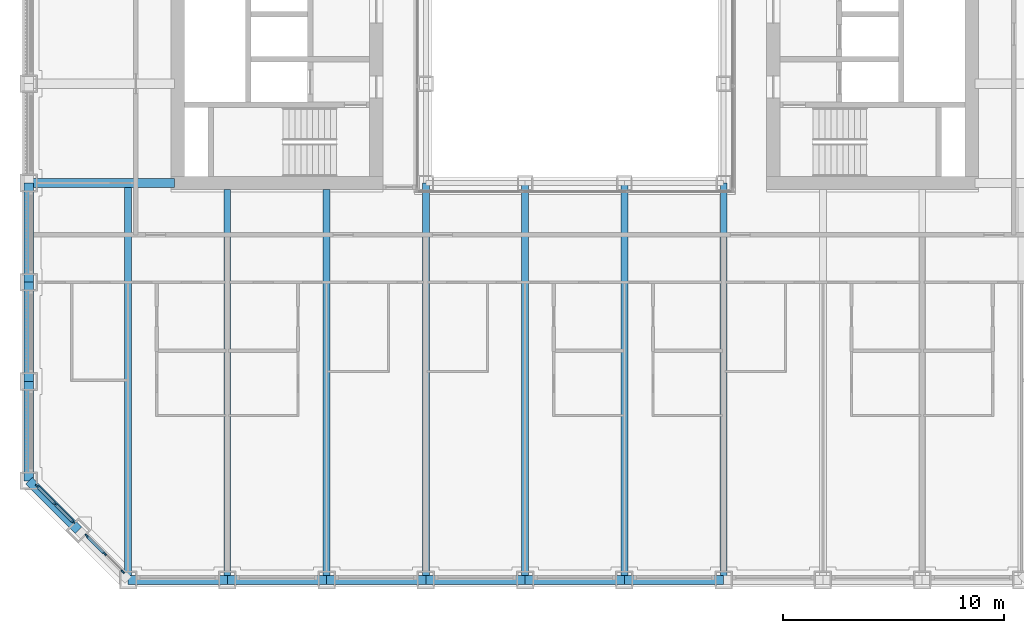
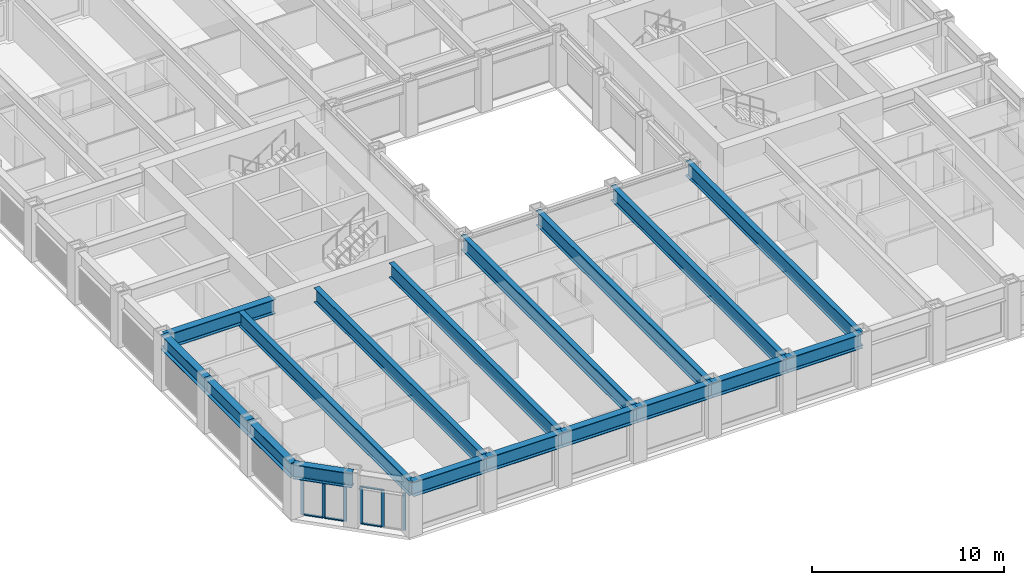
# One storey, part 2 of 21: 18 beams, 12 members, 2 elements without a shape of their own.
"""IFC4 building model written with IfcOpenShell, lengths in metres."""

from ifc_helpers import new_model, si_unit, direction, frame, origin, origin_2d, place, context, subcontext, project, spatial, rectangle, i_section, extrude, material, material_profile, profile_set, type_object, element, aggregate, save


model = new_model("IFC4")

# Units and contexts
model_context = context("Model", 3, precision=1e-05, world=origin(), true_north=direction((0.0, 1.0)))
body_context = subcontext(model_context, "Body", "Model", "MODEL_VIEW")
ifc_project = project(units=[si_unit("LENGTHUNIT", "METRE"), si_unit("AREAUNIT", "SQUARE_METRE"), si_unit("VOLUMEUNIT", "CUBIC_METRE"), si_unit("PLANEANGLEUNIT", "RADIAN"), si_unit("MASSUNIT", "GRAM", prefix="KILO")], contexts=[model_context])

# Site, building, storey
site_placement = place(None, origin())
site = spatial("IfcSite", under=ifc_project, at=site_placement, CompositionType="ELEMENT")
building_placement = place(site_placement, origin())
building = spatial("IfcBuilding", under=site, at=building_placement, Name="Msasa Ring Tower", CompositionType="ELEMENT")
storey_placement = place(building_placement, frame((0.0, 0.0, 47.5)))
storey = spatial("IfcBuildingStorey", under=building, at=storey_placement, Name="L11", CompositionType="ELEMENT", Elevation=47.5)

# Curtain wall, members
ifc_material_1 = material(Name="Aluminium curtain wall with clear glass", Category="aluminium")
curtain_wall_type = type_object("IfcCurtainWallType", Name="CW-C CHAMFER CORNER CURTAIN WALL", PredefinedType="NOTDEFINED", material=ifc_material_1)
curtain_wall_1_placement = place(storey_placement, origin())
curtain_wall_1 = element("IfcCurtainWall", 1, at=curtain_wall_1_placement, inside=storey, type_object=curtain_wall_type, Name="Chamfer corner curtain wall SW L11", PredefinedType="NOTDEFINED")
ifc_material_2 = material(Name="Aluminium mullion", Category="aluminium")
ifc_material_profile_1 = material_profile(ifc_material_2, rectangle(XDim=0.06494140625, YDim=0.179931640625, at=origin_2d()), Name="AL 65x180")
ifc_profile_set_1 = profile_set([ifc_material_profile_1], Name="Aluminium mullion")
member_type_1 = type_object("IfcMemberType", Name="CW-C MULLION 65x180", PredefinedType="MULLION", material=ifc_profile_set_1)
member_1_placement = place(storey_placement, frame((-24.369873046875, -20.48876953125, 0.0), z_axis=(0.0, 0.0, 1.0), x_axis=(0.707106781187, 0.707106781187, 0.0)))
member_1 = element("IfcMember", 2, at=member_1_placement, type_object=member_type_1, Name="CW-C mullion 1", PredefinedType="MULLION", context=body_context, shape_type="SweptSolid", body=[
    extrude(rectangle(XDim=0.06494140625, YDim=0.179931640625, at=origin_2d()), origin(), (0.0, 0.0, 1.0), 2.37890625),
])
member_2_placement = place(storey_placement, frame((-23.55419921875, -21.30419921875, 0.0), z_axis=(0.0, 0.0, 1.0), x_axis=(0.707106781187, 0.707106781187, 0.0)))
member_2 = element("IfcMember", 3, at=member_2_placement, type_object=member_type_1, Name="CW-C mullion 2", PredefinedType="MULLION", context=body_context, shape_type="SweptSolid", body=[
    extrude(rectangle(XDim=0.06494140625, YDim=0.179931640625, at=origin_2d()), origin(), (0.0, 0.0, 1.0), 2.37890625),
])
member_3_placement = place(storey_placement, frame((-22.73876953125, -22.119873046875, 0.0), z_axis=(0.0, 0.0, 1.0), x_axis=(0.707106781187, 0.707106781187, 0.0)))
member_3 = element("IfcMember", 4, at=member_3_placement, type_object=member_type_1, Name="CW-C mullion 3", PredefinedType="MULLION", context=body_context, shape_type="SweptSolid", body=[
    extrude(rectangle(XDim=0.06494140625, YDim=0.179931640625, at=origin_2d()), origin(), (0.0, 0.0, 1.0), 2.37890625),
])

curtain_wall_2_placement = place(storey_placement, origin())
curtain_wall_2 = element("IfcCurtainWall", 5, at=curtain_wall_2_placement, inside=storey, type_object=curtain_wall_type, Name="Chamfer corner curtain wall SW L11", PredefinedType="NOTDEFINED")
member_4_placement = place(storey_placement, frame((-22.119873046875, -22.73876953125, 0.0), z_axis=(0.0, 0.0, 1.0), x_axis=(0.707106781187, 0.707106781187, 0.0)))
member_4 = element("IfcMember", 6, at=member_4_placement, type_object=member_type_1, Name="CW-C mullion 1", PredefinedType="MULLION", context=body_context, shape_type="SweptSolid", body=[
    extrude(rectangle(XDim=0.06494140625, YDim=0.179931640625, at=origin_2d()), origin(), (0.0, 0.0, 1.0), 2.37890625),
])
member_5_placement = place(storey_placement, frame((-21.30419921875, -23.55419921875, 0.0), z_axis=(0.0, 0.0, 1.0), x_axis=(0.707106781187, 0.707106781187, 0.0)))
member_5 = element("IfcMember", 7, at=member_5_placement, type_object=member_type_1, Name="CW-C mullion 2", PredefinedType="MULLION", context=body_context, shape_type="SweptSolid", body=[
    extrude(rectangle(XDim=0.06494140625, YDim=0.179931640625, at=origin_2d()), origin(), (0.0, 0.0, 1.0), 2.37890625),
])
member_6_placement = place(storey_placement, frame((-20.48876953125, -24.369873046875, 0.0), z_axis=(0.0, 0.0, 1.0), x_axis=(0.707106781187, 0.707106781187, 0.0)))
member_6 = element("IfcMember", 8, at=member_6_placement, type_object=member_type_1, Name="CW-C mullion 3", PredefinedType="MULLION", context=body_context, shape_type="SweptSolid", body=[
    extrude(rectangle(XDim=0.06494140625, YDim=0.179931640625, at=origin_2d()), origin(), (0.0, 0.0, 1.0), 2.37890625),
])

# Member
ifc_material_3 = material(Name="Aluminium transom", Category="aluminium")
ifc_material_profile_2 = material_profile(ifc_material_3, rectangle(XDim=0.139892578125, YDim=0.06494140625, at=origin_2d()), Name="AL 65x140")
ifc_profile_set_2 = profile_set([ifc_material_profile_2], Name="Aluminium transom")
member_type_2 = type_object("IfcMemberType", Name="CW-C TRANSOM 65x140", PredefinedType="USERDEFINED", material=ifc_profile_set_2)
member_7_placement = place(storey_placement, frame((-24.346923828125, -20.51171875, 0.032470703125), z_axis=(0.707106781187, -0.707106781187, 0.0), x_axis=(0.707106781187, 0.707106781187, 0.0)))
member_7 = element("IfcMember", 9, at=member_7_placement, type_object=member_type_2, Name="CW-C transom 1.1", ObjectType="TRANSOM", PredefinedType="USERDEFINED", context=body_context, shape_type="SweptSolid", body=[
    extrude(rectangle(XDim=0.139892578125, YDim=0.06494140625, at=origin_2d()), origin(), (0.0, 0.0, 1.0), 1.08837890625),
])

member_8_placement = place(storey_placement, frame((-24.346923828125, -20.51171875, 2.346435546875), z_axis=(0.707106781187, -0.707106781187, 0.0), x_axis=(0.707106781187, 0.707106781187, 0.0)))
member_8 = element("IfcMember", 10, at=member_8_placement, type_object=member_type_2, Name="CW-C transom 1.2", ObjectType="TRANSOM", PredefinedType="USERDEFINED", context=body_context, shape_type="SweptSolid", body=[
    extrude(rectangle(XDim=0.139892578125, YDim=0.06494140625, at=origin_2d()), origin(), (0.0, 0.0, 1.0), 1.08837890625),
])

member_9_placement = place(storey_placement, frame((-23.53125, -21.327392578125, 0.032470703125), z_axis=(0.707106781187, -0.707106781187, 0.0), x_axis=(0.707106781187, 0.707106781187, 0.0)))
member_9 = element("IfcMember", 11, at=member_9_placement, type_object=member_type_2, Name="CW-C transom 2.1", ObjectType="TRANSOM", PredefinedType="USERDEFINED", context=body_context, shape_type="SweptSolid", body=[
    extrude(rectangle(XDim=0.139892578125, YDim=0.06494140625, at=origin_2d()), origin(), (0.0, 0.0, 1.0), 1.08837890625),
])

member_10_placement = place(storey_placement, frame((-23.53125, -21.327392578125, 2.346435546875), z_axis=(0.707106781187, -0.707106781187, 0.0), x_axis=(0.707106781187, 0.707106781187, 0.0)))
member_10 = element("IfcMember", 12, at=member_10_placement, type_object=member_type_2, Name="CW-C transom 2.2", ObjectType="TRANSOM", PredefinedType="USERDEFINED", context=body_context, shape_type="SweptSolid", body=[
    extrude(rectangle(XDim=0.139892578125, YDim=0.06494140625, at=origin_2d()), origin(), (0.0, 0.0, 1.0), 1.08837890625),
])

aggregate(curtain_wall_1, [member_1, member_2, member_3, member_7, member_8, member_9, member_10])

member_11_placement = place(storey_placement, frame((-22.096923828125, -22.76171875, 0.032470703125), z_axis=(0.707106781187, -0.707106781187, 0.0), x_axis=(0.707106781187, 0.707106781187, 0.0)))
member_11 = element("IfcMember", 13, at=member_11_placement, type_object=member_type_2, Name="CW-C transom 1.1", ObjectType="TRANSOM", PredefinedType="USERDEFINED", context=body_context, shape_type="SweptSolid", body=[
    extrude(rectangle(XDim=0.139892578125, YDim=0.06494140625, at=origin_2d()), origin(), (0.0, 0.0, 1.0), 1.08837890625),
])

member_12_placement = place(storey_placement, frame((-22.096923828125, -22.76171875, 2.346435546875), z_axis=(0.707106781187, -0.707106781187, 0.0), x_axis=(0.707106781187, 0.707106781187, 0.0)))
member_12 = element("IfcMember", 14, at=member_12_placement, type_object=member_type_2, Name="CW-C transom 1.2", ObjectType="TRANSOM", PredefinedType="USERDEFINED", context=body_context, shape_type="SweptSolid", body=[
    extrude(rectangle(XDim=0.139892578125, YDim=0.06494140625, at=origin_2d()), origin(), (0.0, 0.0, 1.0), 1.08837890625),
])

aggregate(curtain_wall_2, [member_4, member_5, member_6, member_11, member_12])

# Beams
ifc_material_4 = material(Name="Steel S355", Category="steel")
ifc_material_profile_3 = material_profile(ifc_material_4, i_section(OverallWidth=0.3076171875, OverallDepth=0.926513671875, WebThickness=0.01953125, FlangeThickness=0.031982421875, FilletRadius=0.01904296875, at=origin_2d()), Name="UB 914x305x289")
ifc_profile_set_3 = profile_set([ifc_material_profile_3], Name="Steel S355")
beam_type_1 = type_object("IfcBeamType", Name="FB3 UB 914x305x289", PredefinedType="BEAM", material=ifc_profile_set_3)
beam_1_placement = place(storey_placement, frame((-20.25, -24.75, 2.836669921875), z_axis=(0.0, 1.0, 0.0), x_axis=(-1.0, 0.0, 0.0)))
element("IfcBeam", 15, at=beam_1_placement, inside=storey, type_object=beam_type_1, Name="Floor beam S-20.25 under L12", PredefinedType="BEAM", context=body_context, shape_type="SweptSolid", body=[
    extrude(i_section(OverallWidth=0.3076171875, OverallDepth=0.926513671875, WebThickness=0.01953125, FlangeThickness=0.031982421875, FilletRadius=0.01904296875, at=origin_2d()), origin(), (0.0, 0.0, 1.0), 17.789794921875),
])
for number, where, z_axis, x_axis, name in (
    (16, (-15.75, -24.75, 2.836669921875), (0.0, 1.0, 0.0), (-1.0, 0.0, 0.0), "Floor beam S-15.75 under L12"),
    (17, (-11.25, -24.75, 2.836669921875), (0.0, 1.0, 0.0), (-1.0, 0.0, 0.0), "Floor beam S-11.25 under L12"),
):
    element("IfcBeam", number, at=place(storey_placement, frame(where, z_axis=z_axis, x_axis=x_axis)), inside=storey, type_object=beam_type_1, Name=name, PredefinedType="BEAM", context=body_context, shape_type="SweptSolid", body=[
        extrude(i_section(OverallWidth=0.3076171875, OverallDepth=0.926513671875, WebThickness=0.01953125, FlangeThickness=0.031982421875, FilletRadius=0.01904296875, at=origin_2d()), origin(), (0.0, 0.0, 1.0), 17.699951171875),
    ])
for number, where, z_axis, x_axis, name in (
    (18, (-6.75, -24.75, 2.836669921875), (0.0, 1.0, 0.0), (-1.0, 0.0, 0.0), "Floor beam S-6.75 under L12"),
    (19, (-2.25, -24.75, 2.836669921875), (0.0, 1.0, 0.0), (-1.0, 0.0, 0.0), "Floor beam S-2.25 under L12"),
    (20, (2.25, -24.75, 2.836669921875), (0.0, 1.0, 0.0), (-1.0, 0.0, 0.0), "Floor beam S+2.25 under L12"),
    (21, (6.75, -24.75, 2.836669921875), (0.0, 1.0, 0.0), (-1.0, 0.0, 0.0), "Floor beam S+6.75 under L12"),
):
    element("IfcBeam", number, at=place(storey_placement, frame(where, z_axis=z_axis, x_axis=x_axis)), inside=storey, type_object=beam_type_1, Name=name, PredefinedType="BEAM", context=body_context, shape_type="SweptSolid", body=[
        extrude(i_section(OverallWidth=0.3076171875, OverallDepth=0.926513671875, WebThickness=0.01953125, FlangeThickness=0.031982421875, FilletRadius=0.01904296875, at=origin_2d()), origin(), (0.0, 0.0, 1.0), 18.0),
    ])
ifc_material_5 = material(Name="Steel S355", Category="steel")
ifc_material_profile_4 = material_profile(ifc_material_5, i_section(OverallWidth=0.42041015625, OverallDepth=0.9208984375, WebThickness=0.021484375, FlangeThickness=0.03662109375, FilletRadius=0.024169921875, at=origin_2d()), Name="UB 914x419x388")
ifc_profile_set_4 = profile_set([ifc_material_profile_4], Name="Steel S355")
beam_type_2 = type_object("IfcBeamType", Name="GB1 UB 914x419x388", PredefinedType="BEAM", material=ifc_profile_set_4)
beam_2_placement = place(storey_placement, frame((-18.14990234375, -6.75, 2.839599609375), z_axis=(-1.0, 0.0, 0.0), x_axis=(0.0, -1.0, 0.0)))
element("IfcBeam", 22, at=beam_2_placement, inside=storey, type_object=beam_type_2, Name="Girder W -6.75 under L12", PredefinedType="BEAM", context=body_context, shape_type="SweptSolid", body=[
    extrude(i_section(OverallWidth=0.42041015625, OverallDepth=0.9208984375, WebThickness=0.021484375, FlangeThickness=0.03662109375, FilletRadius=0.024169921875, at=origin_2d()), origin(), (0.0, 0.0, 1.0), 6.60009765625),
])
ifc_material_6 = material(Name="Steel S355", Category="steel")
ifc_material_profile_5 = material_profile(ifc_material_6, i_section(OverallWidth=0.42041015625, OverallDepth=0.9208984375, WebThickness=0.021484375, FlangeThickness=0.03662109375, FilletRadius=0.024169921875, at=origin_2d()), Name="UB 914x419x388")
ifc_profile_set_5 = profile_set([ifc_material_profile_5], Name="Steel S355")
beam_type_3 = type_object("IfcBeamType", Name="SB1 UB 914x419x388", PredefinedType="SPANDREL", material=ifc_profile_set_5)
for number, where, z_axis, x_axis, name in (
    (23, (-24.75, -6.75, 2.839599609375), (0.0, -1.0, 0.0), (1.0, 0.0, 0.0), "Spandrel W-6.75 to W-11.25 under L12"),
    (24, (-24.75, -11.25, 2.839599609375), (0.0, -1.0, 0.0), (1.0, 0.0, 0.0), "Spandrel W-11.25 to W-15.75 under L12"),
    (25, (-24.75, -15.75, 2.839599609375), (0.0, -1.0, 0.0), (1.0, 0.0, 0.0), "Spandrel W-15.75 to W-20.25 under L12"),
):
    element("IfcBeam", number, at=place(storey_placement, frame(where, z_axis=z_axis, x_axis=x_axis)), inside=storey, type_object=beam_type_3, Name=name, PredefinedType="SPANDREL", context=body_context, shape_type="SweptSolid", body=[
        extrude(i_section(OverallWidth=0.42041015625, OverallDepth=0.9208984375, WebThickness=0.021484375, FlangeThickness=0.03662109375, FilletRadius=0.024169921875, at=origin_2d()), origin(), (0.0, 0.0, 1.0), 4.5),
    ])
beam_3_placement = place(storey_placement, frame((-24.75, -20.25, 2.839599609375), z_axis=(0.707106781187, -0.707106781187, 0.0), x_axis=(0.707106781187, 0.707106781187, 0.0)))
element("IfcBeam", 26, at=beam_3_placement, inside=storey, type_object=beam_type_3, Name="Spandrel W-20.25 to SW under L12", PredefinedType="SPANDREL", context=body_context, shape_type="SweptSolid", body=[
    extrude(i_section(OverallWidth=0.42041015625, OverallDepth=0.9208984375, WebThickness=0.021484375, FlangeThickness=0.03662109375, FilletRadius=0.024169921875, at=origin_2d()), origin(), (0.0, 0.0, 1.0), 3.181884765625),
])
for number, where, z_axis, x_axis, name in (
    (27, (-20.25, -24.75, 2.839599609375), (1.0, 0.0, 0.0), (0.0, 1.0, 0.0), "Spandrel S-20.25 to S-15.75 under L12"),
    (28, (-15.75, -24.75, 2.839599609375), (1.0, 0.0, 0.0), (0.0, 1.0, 0.0), "Spandrel S-15.75 to S-11.25 under L12"),
    (29, (-11.25, -24.75, 2.839599609375), (1.0, 0.0, 0.0), (0.0, 1.0, 0.0), "Spandrel S-11.25 to S-6.75 under L12"),
    (30, (-6.75, -24.75, 2.839599609375), (1.0, 0.0, 0.0), (0.0, 1.0, 0.0), "Spandrel S-6.75 to S-2.25 under L12"),
    (31, (-2.25, -24.75, 2.839599609375), (1.0, 0.0, 0.0), (0.0, 1.0, 0.0), "Spandrel S-2.25 to S+2.25 under L12"),
    (32, (2.25, -24.75, 2.839599609375), (1.0, 0.0, 0.0), (0.0, 1.0, 0.0), "Spandrel S+2.25 to S+6.75 under L12"),
):
    element("IfcBeam", number, at=place(storey_placement, frame(where, z_axis=z_axis, x_axis=x_axis)), inside=storey, type_object=beam_type_3, Name=name, PredefinedType="SPANDREL", context=body_context, shape_type="SweptSolid", body=[
        extrude(i_section(OverallWidth=0.42041015625, OverallDepth=0.9208984375, WebThickness=0.021484375, FlangeThickness=0.03662109375, FilletRadius=0.024169921875, at=origin_2d()), origin(), (0.0, 0.0, 1.0), 4.5),
    ])

save(model, "model.ifc")
